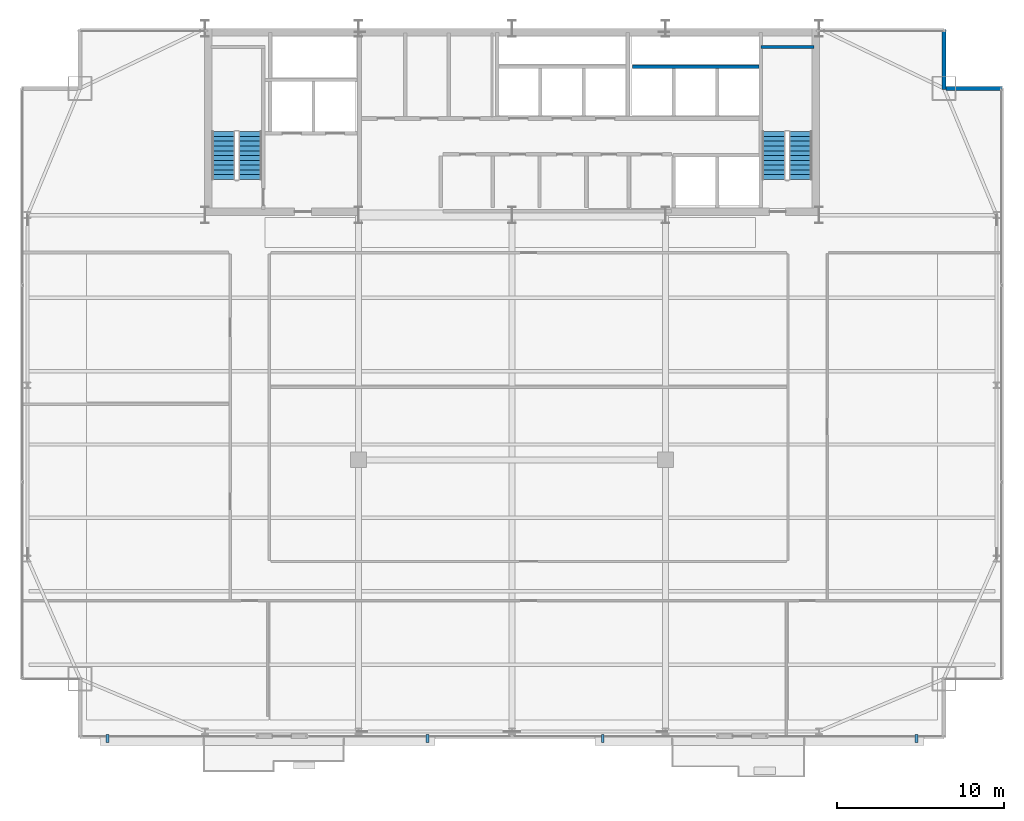
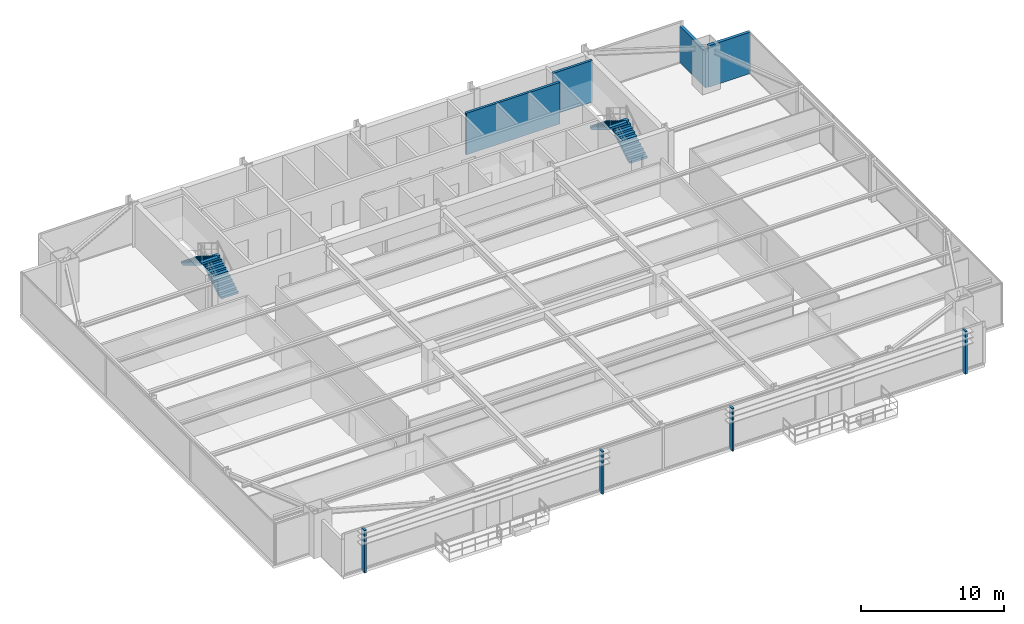
# One storey, part 34 of 36: 4 discrete accessories, 4 stair flights, 4 walls, 2 elements without a shape of their own.
"""IFC4 building model written with IfcOpenShell, lengths in metres."""

from ifc_helpers import new_model, si_unit, direction, frame, frame_2d, origin, origin_2d, place, context, subcontext, project, spatial, polyline, rectangle, outline, extrude, source, transform, mapped, material, layer, layer_set, type_object, type_shapes, element, aggregate, save


model = new_model("IFC4")

# Units and contexts
model_context = context("Model", 3, precision=1e-05, world=origin(), true_north=direction((0.0, 1.0)))
body_context = subcontext(model_context, "Body", "Model", "MODEL_VIEW")
ifc_project = project(units=[si_unit("LENGTHUNIT", "METRE"), si_unit("AREAUNIT", "SQUARE_METRE"), si_unit("VOLUMEUNIT", "CUBIC_METRE"), si_unit("PLANEANGLEUNIT", "RADIAN"), si_unit("MASSUNIT", "GRAM", prefix="KILO")], contexts=[model_context])

# Site, building, storey
site_placement = place(None, origin())
site = spatial("IfcSite", under=ifc_project, at=site_placement, CompositionType="ELEMENT")
building_placement = place(site_placement, origin())
building = spatial("IfcBuilding", under=site, at=building_placement, Name="Varnel Quay Broadcast Tower", CompositionType="ELEMENT")
storey_placement = place(building_placement, frame((0.0, 0.0, 114.39990234375)))
storey = spatial("IfcBuildingStorey", under=building, at=storey_placement, Name="L27", CompositionType="ELEMENT", Elevation=114.39990234375)

# Walls
ifc_material_1 = material(Name="Concrete CSA A23.3 C50/60", Category="concrete")
ifc_layer_1 = layer(ifc_material_1, 0.199951171875, Name="Concrete CSA A23.3 C50/60")
ifc_layer_set_1 = layer_set([ifc_layer_1], Name="Concrete CSA A23.3 C50/60")
wall_type_1 = type_object("IfcWallType", Name="Wall_CoreShaftShear200", PredefinedType="SHEAR", material=ifc_layer_set_1)
wall_1_placement = place(storey_placement, frame((48.919921875, 45.679931640625, 0.0), z_axis=(0.0, 0.0, 1.0), x_axis=(1.0, 0.0, 0.0)))
element("IfcWall", 1, at=wall_1_placement, inside=storey, type_object=wall_type_1, Name="L27 Stair 2 North Structural Wall", PredefinedType="SHEAR", context=body_context, shape_type="SweptSolid", body=[
    extrude(rectangle(XDim=3.18017578125, YDim=0.199951171875, at=frame_2d((1.590087890625, 0.0))), origin(), (0.0, 0.0, 1.0), 3.550048828125),
])
wall_2_placement = place(storey_placement, frame((41.219970703125, 44.5, 0.0), z_axis=(0.0, 0.0, 1.0), x_axis=(1.0, 0.0, 0.0)))
element("IfcWall", 2, at=wall_2_placement, inside=storey, type_object=wall_type_1, Name="L27 High-Rise Lift Shaft Rear Wall", PredefinedType="SHEAR", context=body_context, shape_type="SweptSolid", body=[
    extrude(rectangle(XDim=7.580078125, YDim=0.199951171875, at=frame_2d((3.7900390625, 0.0))), origin(), (0.0, 0.0, 1.0), 3.550048828125),
])
ifc_material_2 = material(Name="Precast Architectural Concrete C40/50", Category="concrete")
ifc_layer_2 = layer(ifc_material_2, 0.25, Name="Precast Architectural Concrete C40/50")
ifc_layer_set_2 = layer_set([ifc_layer_2], Name="Precast Architectural Concrete C40/50")
wall_type_2 = type_object("IfcWallType", Name="Wall_ExtTerrace250", PredefinedType="SOLIDWALL", material=ifc_layer_set_2)
wall_3_placement = place(storey_placement, frame((60.030029296875, 43.199951171875, 0.0), z_axis=(0.0, 0.0, 1.0), x_axis=(1.0, 0.0, 0.0)))
element("IfcWall", 3, at=wall_3_placement, inside=storey, type_object=wall_type_2, Name="L27 Mega-Column Notch Cladding Wall NNE1", PredefinedType="SOLIDWALL", context=body_context, shape_type="SweptSolid", body=[
    extrude(rectangle(XDim=3.389892578125, YDim=0.25, at=frame_2d((1.69482421875, 0.0))), origin(), (0.0, 0.0, 1.0), 3.530029296875),
])
wall_4_placement = place(storey_placement, frame((59.89990234375, 43.1201171875, 0.0), z_axis=(0.0, 0.0, 1.0), x_axis=(0.0, 1.0, 0.0)))
element("IfcWall", 4, at=wall_4_placement, inside=storey, type_object=wall_type_2, Name="L27 Mega-Column Notch Cladding Wall NNE2", PredefinedType="SOLIDWALL", context=body_context, shape_type="SweptSolid", body=[
    extrude(rectangle(XDim=3.599853515625, YDim=0.25, at=frame_2d((1.7998046875, 0.0))), origin(), (0.0, 0.0, 1.0), 3.108154296875),
])

# Stair, stair flights
ifc_material_3 = material(Name="Precast Structural Concrete C40/50", Category="concrete")
stair_type_1 = type_object("IfcStairType", Name="Stair_ST-01", PredefinedType="HALF_TURN_STAIR", material=ifc_material_3)
stair_1_placement = place(storey_placement, origin())
stair_1 = element("IfcStair", 5, at=stair_1_placement, inside=storey, type_object=stair_type_1, Name="L27 West Core Exit Stair 1", PredefinedType="HALF_TURN_STAIR")
stair_flight_type_1 = type_object("IfcStairFlightType", Name="Flight_ST-01", PredefinedType="STRAIGHT", material=ifc_material_3)
stair_flight_1_placement = place(storey_placement, frame((18.300048828125, 37.75, 0.0), z_axis=(0.0, 0.0, 1.0), x_axis=(0.0, 1.0, 0.0)))
stair_flight_1 = element("IfcStairFlight", 6, at=stair_flight_1_placement, type_object=stair_flight_type_1, Name="ST-01 flight 1", NumberOfRisers=11, NumberOfTreads=10, PredefinedType="STRAIGHT", RiserHeight=0.172727273, TreadLength=0.285, context=body_context, shape_type="SweptSolid", body=[
    extrude(outline(polyline([(0.0, 0.0), (0.0, 0.172607421875), (0.284912109375, 0.172607421875), (0.284912109375, 0.345458984375), (0.570068359375, 0.345458984375), (0.570068359375, 0.51806640625), (0.85498046875, 0.51806640625), (0.85498046875, 0.69091796875), (1.139892578125, 0.69091796875), (1.139892578125, 0.863525390625), (1.425048828125, 0.863525390625), (1.425048828125, 1.036376953125), (1.7099609375, 1.036376953125), (1.7099609375, 1.208984375), (1.9951171875, 1.208984375), (1.9951171875, 1.3818359375), (2.280029296875, 1.3818359375), (2.280029296875, 1.554443359375), (2.56494140625, 1.554443359375), (2.56494140625, 1.727294921875), (2.85009765625, 1.727294921875), (2.85009765625, 1.89990234375), (2.85009765625, 1.552001953125), (0.289306640625, 0.0), (0.0, 0.0)])), frame((0.0, 0.699951171875, 0.0), z_axis=(0.0, -1.0, 0.0), x_axis=(1.0, 0.0, 0.0)), (0.0, 0.0, 1.0), 1.39990234375),
])
stair_flight_2_placement = place(storey_placement, frame((16.699951171875, 40.60009765625, 1.900146484375), z_axis=(0.0, 0.0, 1.0), x_axis=(0.0, -1.0, 0.0)))
stair_flight_2 = element("IfcStairFlight", 7, at=stair_flight_2_placement, type_object=stair_flight_type_1, Name="ST-01 flight 2", NumberOfRisers=11, NumberOfTreads=10, PredefinedType="STRAIGHT", RiserHeight=0.172727273, TreadLength=0.285, context=body_context, shape_type="SweptSolid", body=[
    extrude(outline(polyline([(0.0, 0.0), (0.0, 0.172607421875), (0.284912109375, 0.172607421875), (0.284912109375, 0.345458984375), (0.570068359375, 0.345458984375), (0.570068359375, 0.51806640625), (0.85498046875, 0.51806640625), (0.85498046875, 0.69091796875), (1.139892578125, 0.69091796875), (1.139892578125, 0.863525390625), (1.425048828125, 0.863525390625), (1.425048828125, 1.036376953125), (1.7099609375, 1.036376953125), (1.7099609375, 1.208984375), (1.9951171875, 1.208984375), (1.9951171875, 1.3818359375), (2.280029296875, 1.3818359375), (2.280029296875, 1.554443359375), (2.56494140625, 1.554443359375), (2.56494140625, 1.727294921875), (2.85009765625, 1.727294921875), (2.85009765625, 1.89990234375), (2.85009765625, 1.552001953125), (0.289306640625, 0.0), (0.0, 0.0)])), frame((0.0, 0.699951171875, 0.0), z_axis=(0.0, -1.0, 0.0), x_axis=(1.0, 0.0, 0.0)), (0.0, 0.0, 1.0), 1.39990234375),
])
aggregate(stair_1, [stair_flight_1, stair_flight_2])

stair_type_2 = type_object("IfcStairType", Name="Stair_ST-02", PredefinedType="HALF_TURN_STAIR", material=ifc_material_3)
stair_2_placement = place(storey_placement, origin())
stair_2 = element("IfcStair", 8, at=stair_2_placement, inside=storey, type_object=stair_type_2, Name="L27 East Core Exit Stair 2", PredefinedType="HALF_TURN_STAIR")
stair_flight_type_2 = type_object("IfcStairFlightType", Name="Flight_ST-02", PredefinedType="STRAIGHT", material=ifc_material_3)
stair_flight_3_placement = place(storey_placement, frame((51.300048828125, 37.75, 0.0), z_axis=(0.0, 0.0, 1.0), x_axis=(0.0, 1.0, 0.0)))
stair_flight_3 = element("IfcStairFlight", 9, at=stair_flight_3_placement, type_object=stair_flight_type_2, Name="ST-02 flight 1", NumberOfRisers=11, NumberOfTreads=10, PredefinedType="STRAIGHT", RiserHeight=0.172727273, TreadLength=0.285, context=body_context, shape_type="SweptSolid", body=[
    extrude(outline(polyline([(0.0, 0.0), (0.0, 0.172607421875), (0.284912109375, 0.172607421875), (0.284912109375, 0.345458984375), (0.570068359375, 0.345458984375), (0.570068359375, 0.51806640625), (0.85498046875, 0.51806640625), (0.85498046875, 0.69091796875), (1.139892578125, 0.69091796875), (1.139892578125, 0.863525390625), (1.425048828125, 0.863525390625), (1.425048828125, 1.036376953125), (1.7099609375, 1.036376953125), (1.7099609375, 1.208984375), (1.9951171875, 1.208984375), (1.9951171875, 1.3818359375), (2.280029296875, 1.3818359375), (2.280029296875, 1.554443359375), (2.56494140625, 1.554443359375), (2.56494140625, 1.727294921875), (2.85009765625, 1.727294921875), (2.85009765625, 1.89990234375), (2.85009765625, 1.552001953125), (0.289306640625, 0.0), (0.0, 0.0)])), frame((0.0, 0.699951171875, 0.0), z_axis=(0.0, -1.0, 0.0), x_axis=(1.0, 0.0, 0.0)), (0.0, 0.0, 1.0), 1.39990234375),
])
stair_flight_4_placement = place(storey_placement, frame((49.699951171875, 40.60009765625, 1.900146484375), z_axis=(0.0, 0.0, 1.0), x_axis=(0.0, -1.0, 0.0)))
stair_flight_4 = element("IfcStairFlight", 10, at=stair_flight_4_placement, type_object=stair_flight_type_2, Name="ST-02 flight 2", NumberOfRisers=11, NumberOfTreads=10, PredefinedType="STRAIGHT", RiserHeight=0.172727273, TreadLength=0.285, context=body_context, shape_type="SweptSolid", body=[
    extrude(outline(polyline([(0.0, 0.0), (0.0, 0.172607421875), (0.284912109375, 0.172607421875), (0.284912109375, 0.345458984375), (0.570068359375, 0.345458984375), (0.570068359375, 0.51806640625), (0.85498046875, 0.51806640625), (0.85498046875, 0.69091796875), (1.139892578125, 0.69091796875), (1.139892578125, 0.863525390625), (1.425048828125, 0.863525390625), (1.425048828125, 1.036376953125), (1.7099609375, 1.036376953125), (1.7099609375, 1.208984375), (1.9951171875, 1.208984375), (1.9951171875, 1.3818359375), (2.280029296875, 1.3818359375), (2.280029296875, 1.554443359375), (2.56494140625, 1.554443359375), (2.56494140625, 1.727294921875), (2.85009765625, 1.727294921875), (2.85009765625, 1.89990234375), (2.85009765625, 1.552001953125), (0.289306640625, 0.0), (0.0, 0.0)])), frame((0.0, 0.699951171875, 0.0), z_axis=(0.0, -1.0, 0.0), x_axis=(1.0, 0.0, 0.0)), (0.0, 0.0, 1.0), 1.39990234375),
])
aggregate(stair_2, [stair_flight_3, stair_flight_4])

# Discrete accessories
ifc_material_4 = material(Name="Anodised Bronze Aluminium 6063-T6", Category="aluminium")
ifc_layer_3 = layer(ifc_material_4, 0.47998046875, Name="Anodised Bronze Aluminium 6063-T6")
ifc_layer_set_3 = layer_set([ifc_layer_3], Name="Anodised Bronze Aluminium 6063-T6")
discrete_accessory_type = type_object("IfcDiscreteAccessoryType", Name="Acc_FacadeBracket", PredefinedType="BRACKET", material=ifc_layer_set_3)
shared_shape = source(origin(), body_context, "Body", "SweptSolid", [
    extrude(rectangle(XDim=0.159912109375, YDim=0.47998046875, at=origin_2d()), origin(), (0.0, 0.0, 1.0), 3.64990234375),
])
type_shapes(discrete_accessory_type, [shared_shape])
for number, where, z_axis, x_axis, name in (
    (11, (9.75, 4.219970703125, -0.14990234375), (0.0, 0.0, 1.0), (1.0, 0.0, 0.0), "L27 Lobe 1 Louvre Support Bracket 1"),
    (12, (28.93701171875, 4.219970703125, -0.14990234375), (0.0, 0.0, 1.0), (1.0, 0.0, 0.0), "L27 Lobe 1 Louvre Support Bracket 2"),
    (13, (39.43701171875, 4.219970703125, -0.14990234375), (0.0, 0.0, 1.0), (1.0, 0.0, 0.0), "L27 Lobe 2 Louvre Support Bracket 1"),
    (14, (58.25, 4.219970703125, -0.14990234375), (0.0, 0.0, 1.0), (1.0, 0.0, 0.0), "L27 Lobe 2 Louvre Support Bracket 2"),
):
    element("IfcDiscreteAccessory", number, at=place(storey_placement, frame(where, z_axis=z_axis, x_axis=x_axis)), inside=storey, type_object=discrete_accessory_type, Name=name, PredefinedType="BRACKET", context=body_context, shape_type="MappedRepresentation", body=[
        mapped(shared_shape, transform((0.0, 0.0, 0.0), x_axis=(1.0, 0.0, 0.0), y_axis=(0.0, 1.0, 0.0), z_axis=(0.0, 0.0, 1.0), scale=1.0)),
    ])

save(model, "model.ifc")
